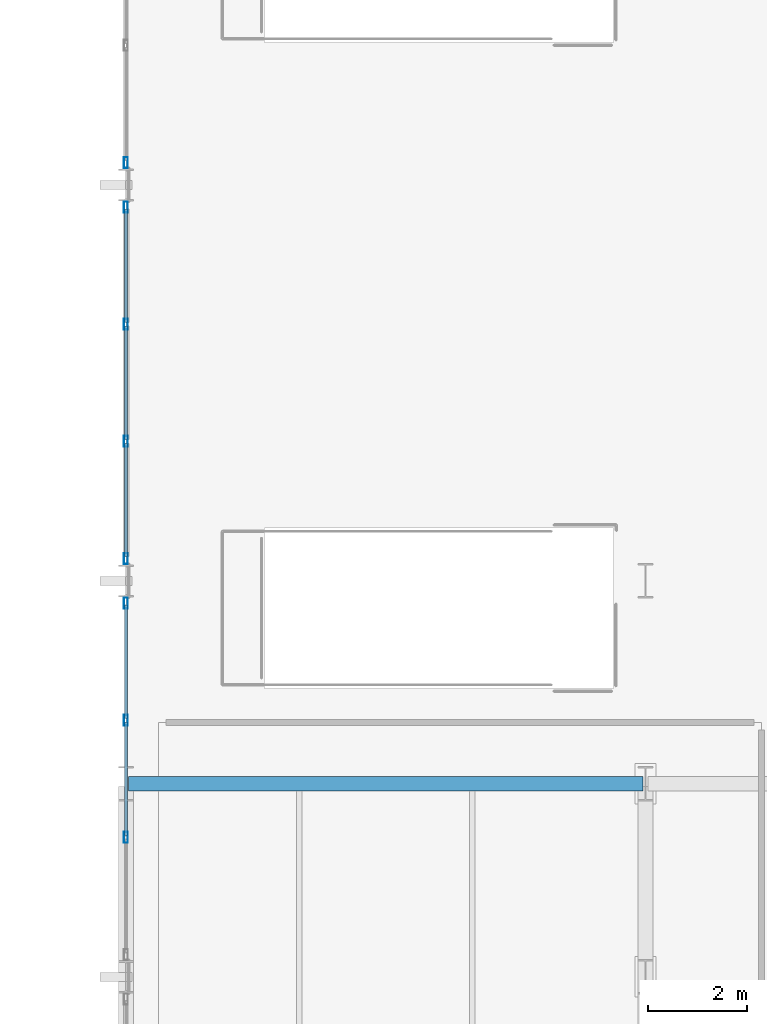
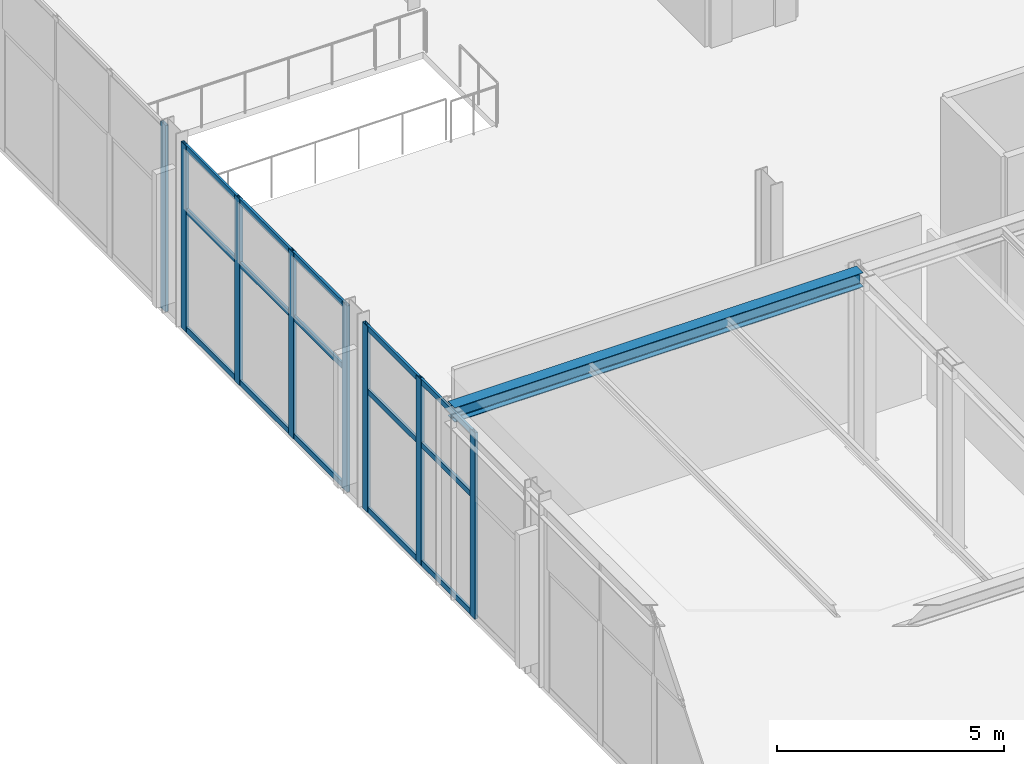
# One storey, part 29 of 195: 23 members, 1 beam, 3 elements without a shape of their own.
"""IFC4 building model written with IfcOpenShell, lengths in metres."""

from ifc_helpers import new_model, si_unit, direction, frame, origin, origin_2d, place, context, subcontext, project, spatial, hollow_rectangle, i_section, extrude, material, layer, layer_set, material_profile, profile_set, type_object, element, aggregate, save


model = new_model("IFC4")

# Units and contexts
model_context = context("Model", 3, precision=1e-05, world=origin(), true_north=direction((0.0, 1.0)))
body_context = subcontext(model_context, "Body", "Model", "MODEL_VIEW")
ifc_project = project(units=[si_unit("LENGTHUNIT", "METRE"), si_unit("AREAUNIT", "SQUARE_METRE"), si_unit("VOLUMEUNIT", "CUBIC_METRE"), si_unit("PLANEANGLEUNIT", "RADIAN"), si_unit("MASSUNIT", "GRAM", prefix="KILO")], contexts=[model_context])

# Site, building, storey
site_placement = place(None, origin())
site = spatial("IfcSite", under=ifc_project, at=site_placement, CompositionType="ELEMENT")
building_placement = place(site_placement, origin())
building = spatial("IfcBuilding", under=site, at=building_placement, Name="Marlcrest Central Station", CompositionType="ELEMENT")
storey_placement = place(building_placement, frame((0.0, 0.0, 9.800048828125)))
storey = spatial("IfcBuildingStorey", under=building, at=storey_placement, Name="L02", CompositionType="ELEMENT", Elevation=9.800048828125)

# Beam
ifc_material_1 = material(Name="Steel S355", Category="steel")
ifc_material_profile_1 = material_profile(ifc_material_1, i_section(OverallWidth=0.300048828125, OverallDepth=0.389892578125, WebThickness=0.010986328125, FlangeThickness=0.01904296875, FilletRadius=0.027099609375, at=origin_2d()), Name="HEA 400")
ifc_profile_set_1 = profile_set([ifc_material_profile_1], Name="Steel S355")
beam_type = type_object("IfcBeamType", Name="BM-08", PredefinedType="BEAM", material=ifc_profile_set_1)
beam_placement = place(storey_placement, frame((87.050048828125, 34.39990234375, 4.800048828125), z_axis=(1.0, 0.0, 0.0), x_axis=(0.0, 1.0, 0.0)))
element("IfcBeam", 1, at=beam_placement, inside=storey, type_object=beam_type, Name="bm-BM-08-L02-01387", PredefinedType="BEAM", context=body_context, shape_type="SweptSolid", body=[
    extrude(i_section(OverallWidth=0.300048828125, OverallDepth=0.389892578125, WebThickness=0.010986328125, FlangeThickness=0.01904296875, FilletRadius=0.027099609375, at=origin_2d()), origin(), (0.0, 0.0, 1.0), 10.39990234375),
])

# Curtain wall, members
ifc_material_2 = material(Name="Anodised aluminium and hurricane laminated glass", Category="aluminium")
ifc_layer = layer(ifc_material_2, 0.219970703125, Name="CW-U1")
ifc_layer_set = layer_set([ifc_layer], Name="Anodised aluminium and hurricane laminated glass")
curtain_wall_type = type_object("IfcCurtainWallType", Name="CW-U1", PredefinedType="USERDEFINED", material=ifc_layer_set)
curtain_wall_1_placement = place(storey_placement, origin())
curtain_wall_1 = element("IfcCurtainWall", 2, at=curtain_wall_1_placement, inside=storey, type_object=curtain_wall_type, Name="cw-L02-0103", ObjectType="UNITISED_CURTAIN_WALL", PredefinedType="USERDEFINED")
ifc_material_3 = material(Name="Anodised aluminium 6063-T6", Category="aluminium")
ifc_material_profile_2 = material_profile(ifc_material_3, hollow_rectangle(XDim=0.080078125, YDim=0.219970703125, WallThickness=0.006103515625, at=origin_2d()), Name="AA-RHS 220x80x6")
ifc_profile_set_2 = profile_set([ifc_material_profile_2], Name="Anodised aluminium 6063-T6")
member_type_1 = type_object("IfcMemberType", Name="ML-01", PredefinedType="MULLION", material=ifc_profile_set_2)
member_1_placement = place(storey_placement, frame((87.0, 33.316650390625, -0.030029296875), z_axis=(0.0, 0.0, 1.0), x_axis=(1.0, 0.0, 0.0)))
member_1 = element("IfcMember", 3, at=member_1_placement, type_object=member_type_1, Name="cw-L02-0103-ml-1", PredefinedType="MULLION", context=body_context, shape_type="SweptSolid", body=[
    extrude(hollow_rectangle(XDim=0.080078125, YDim=0.219970703125, WallThickness=0.006103515625, at=origin_2d()), origin(), (0.0, 0.0, 1.0), 5.010009765625),
])
member_2_placement = place(storey_placement, frame((87.0, 35.683349609375, -0.030029296875), z_axis=(0.0, 0.0, 1.0), x_axis=(1.0, 0.0, 0.0)))
member_2 = element("IfcMember", 4, at=member_2_placement, type_object=member_type_1, Name="cw-L02-0103-ml-2", PredefinedType="MULLION", context=body_context, shape_type="SweptSolid", body=[
    extrude(hollow_rectangle(XDim=0.080078125, YDim=0.219970703125, WallThickness=0.006103515625, at=origin_2d()), origin(), (0.0, 0.0, 1.0), 5.010009765625),
])
member_3_placement = place(storey_placement, frame((87.0, 38.050048828125, -0.030029296875), z_axis=(0.0, 0.0, 1.0), x_axis=(1.0, 0.0, 0.0)))
member_3 = element("IfcMember", 5, at=member_3_placement, type_object=member_type_1, Name="cw-L02-0103-ml-3", PredefinedType="MULLION", context=body_context, shape_type="SweptSolid", body=[
    extrude(hollow_rectangle(XDim=0.080078125, YDim=0.219970703125, WallThickness=0.006103515625, at=origin_2d()), origin(), (0.0, 0.0, 1.0), 5.010009765625),
])

curtain_wall_2_placement = place(storey_placement, origin())
curtain_wall_2 = element("IfcCurtainWall", 6, at=curtain_wall_2_placement, inside=storey, type_object=curtain_wall_type, Name="cw-L02-0107", ObjectType="UNITISED_CURTAIN_WALL", PredefinedType="USERDEFINED")
member_4_placement = place(storey_placement, frame((87.0, 38.949951171875, -0.030029296875), z_axis=(0.0, 0.0, 1.0), x_axis=(1.0, 0.0, 0.0)))
member_4 = element("IfcMember", 7, at=member_4_placement, type_object=member_type_1, Name="cw-L02-0107-ml-0", PredefinedType="MULLION", context=body_context, shape_type="SweptSolid", body=[
    extrude(hollow_rectangle(XDim=0.080078125, YDim=0.219970703125, WallThickness=0.006103515625, at=origin_2d()), origin(), (0.0, 0.0, 1.0), 5.010009765625),
])
member_5_placement = place(storey_placement, frame((87.0, 41.316650390625, -0.030029296875), z_axis=(0.0, 0.0, 1.0), x_axis=(1.0, 0.0, 0.0)))
member_5 = element("IfcMember", 8, at=member_5_placement, type_object=member_type_1, Name="cw-L02-0107-ml-1", PredefinedType="MULLION", context=body_context, shape_type="SweptSolid", body=[
    extrude(hollow_rectangle(XDim=0.080078125, YDim=0.219970703125, WallThickness=0.006103515625, at=origin_2d()), origin(), (0.0, 0.0, 1.0), 5.010009765625),
])
member_6_placement = place(storey_placement, frame((87.0, 43.683349609375, -0.030029296875), z_axis=(0.0, 0.0, 1.0), x_axis=(1.0, 0.0, 0.0)))
member_6 = element("IfcMember", 9, at=member_6_placement, type_object=member_type_1, Name="cw-L02-0107-ml-2", PredefinedType="MULLION", context=body_context, shape_type="SweptSolid", body=[
    extrude(hollow_rectangle(XDim=0.080078125, YDim=0.219970703125, WallThickness=0.006103515625, at=origin_2d()), origin(), (0.0, 0.0, 1.0), 5.010009765625),
])
member_7_placement = place(storey_placement, frame((87.0, 46.050048828125, -0.030029296875), z_axis=(0.0, 0.0, 1.0), x_axis=(1.0, 0.0, 0.0)))
member_7 = element("IfcMember", 10, at=member_7_placement, type_object=member_type_1, Name="cw-L02-0107-ml-3", PredefinedType="MULLION", context=body_context, shape_type="SweptSolid", body=[
    extrude(hollow_rectangle(XDim=0.080078125, YDim=0.219970703125, WallThickness=0.006103515625, at=origin_2d()), origin(), (0.0, 0.0, 1.0), 5.010009765625),
])

# Curtain wall, member
curtain_wall_3_placement = place(storey_placement, origin())
curtain_wall_3 = element("IfcCurtainWall", 11, at=curtain_wall_3_placement, inside=storey, type_object=curtain_wall_type, Name="cw-L02-0111", ObjectType="UNITISED_CURTAIN_WALL", PredefinedType="USERDEFINED")
member_8_placement = place(storey_placement, frame((87.0, 46.949951171875, -0.030029296875), z_axis=(0.0, 0.0, 1.0), x_axis=(1.0, 0.0, 0.0)))
member_8 = element("IfcMember", 12, at=member_8_placement, type_object=member_type_1, Name="cw-L02-0111-ml-0", PredefinedType="MULLION", context=body_context, shape_type="SweptSolid", body=[
    extrude(hollow_rectangle(XDim=0.080078125, YDim=0.219970703125, WallThickness=0.006103515625, at=origin_2d()), origin(), (0.0, 0.0, 1.0), 5.010009765625),
])
aggregate(curtain_wall_3, [member_8])

# Member
ifc_material_profile_3 = material_profile(ifc_material_3, hollow_rectangle(XDim=0.06005859375, YDim=0.14990234375, WallThickness=0.00390625, at=origin_2d()), Name="AA-RHS 150x60x4")
ifc_profile_set_3 = profile_set([ifc_material_profile_3], Name="Anodised aluminium 6063-T6")
member_type_2 = type_object("IfcMemberType", Name="TR-01", PredefinedType="USERDEFINED", material=ifc_profile_set_3)
member_9_placement = place(storey_placement, frame((87.0, 33.354736328125, 0.0400390625), z_axis=(0.0, 1.0, 0.0), x_axis=(-1.0, 0.0, 0.0)))
member_9 = element("IfcMember", 13, at=member_9_placement, type_object=member_type_2, Name="cw-L02-0103-tr-1-sill", ObjectType="TRANSOM", PredefinedType="USERDEFINED", context=body_context, shape_type="SweptSolid", body=[
    extrude(hollow_rectangle(XDim=0.06005859375, YDim=0.14990234375, WallThickness=0.00390625, at=origin_2d()), origin(), (0.0, 0.0, 1.0), 2.29052734375),
])

member_10_placement = place(storey_placement, frame((87.0, 33.354736328125, 3.218017578125), z_axis=(0.0, 1.0, 0.0), x_axis=(-1.0, 0.0, 0.0)))
member_10 = element("IfcMember", 14, at=member_10_placement, type_object=member_type_2, Name="cw-L02-0103-tr-1-mid", ObjectType="TRANSOM", PredefinedType="USERDEFINED", context=body_context, shape_type="SweptSolid", body=[
    extrude(hollow_rectangle(XDim=0.06005859375, YDim=0.14990234375, WallThickness=0.00390625, at=origin_2d()), origin(), (0.0, 0.0, 1.0), 2.29052734375),
])

member_11_placement = place(storey_placement, frame((87.0, 33.354736328125, 4.909912109375), z_axis=(0.0, 1.0, 0.0), x_axis=(-1.0, 0.0, 0.0)))
member_11 = element("IfcMember", 15, at=member_11_placement, type_object=member_type_2, Name="cw-L02-0103-tr-1-head", ObjectType="TRANSOM", PredefinedType="USERDEFINED", context=body_context, shape_type="SweptSolid", body=[
    extrude(hollow_rectangle(XDim=0.06005859375, YDim=0.14990234375, WallThickness=0.00390625, at=origin_2d()), origin(), (0.0, 0.0, 1.0), 2.29052734375),
])

member_12_placement = place(storey_placement, frame((87.0, 35.72119140625, 0.0400390625), z_axis=(0.0, 1.0, 0.0), x_axis=(-1.0, 0.0, 0.0)))
member_12 = element("IfcMember", 16, at=member_12_placement, type_object=member_type_2, Name="cw-L02-0103-tr-2-sill", ObjectType="TRANSOM", PredefinedType="USERDEFINED", context=body_context, shape_type="SweptSolid", body=[
    extrude(hollow_rectangle(XDim=0.06005859375, YDim=0.14990234375, WallThickness=0.00390625, at=origin_2d()), origin(), (0.0, 0.0, 1.0), 2.290771484375),
])

member_13_placement = place(storey_placement, frame((87.0, 35.72119140625, 3.218017578125), z_axis=(0.0, 1.0, 0.0), x_axis=(-1.0, 0.0, 0.0)))
member_13 = element("IfcMember", 17, at=member_13_placement, type_object=member_type_2, Name="cw-L02-0103-tr-2-mid", ObjectType="TRANSOM", PredefinedType="USERDEFINED", context=body_context, shape_type="SweptSolid", body=[
    extrude(hollow_rectangle(XDim=0.06005859375, YDim=0.14990234375, WallThickness=0.00390625, at=origin_2d()), origin(), (0.0, 0.0, 1.0), 2.290771484375),
])

member_14_placement = place(storey_placement, frame((87.0, 35.72119140625, 4.909912109375), z_axis=(0.0, 1.0, 0.0), x_axis=(-1.0, 0.0, 0.0)))
member_14 = element("IfcMember", 18, at=member_14_placement, type_object=member_type_2, Name="cw-L02-0103-tr-2-head", ObjectType="TRANSOM", PredefinedType="USERDEFINED", context=body_context, shape_type="SweptSolid", body=[
    extrude(hollow_rectangle(XDim=0.06005859375, YDim=0.14990234375, WallThickness=0.00390625, at=origin_2d()), origin(), (0.0, 0.0, 1.0), 2.290771484375),
])

aggregate(curtain_wall_1, [member_1, member_2, member_3, member_9, member_10, member_11, member_12, member_13, member_14])

member_15_placement = place(storey_placement, frame((87.0, 38.988037109375, 0.0400390625), z_axis=(0.0, 1.0, 0.0), x_axis=(-1.0, 0.0, 0.0)))
member_15 = element("IfcMember", 19, at=member_15_placement, type_object=member_type_2, Name="cw-L02-0107-tr-0-sill", ObjectType="TRANSOM", PredefinedType="USERDEFINED", context=body_context, shape_type="SweptSolid", body=[
    extrude(hollow_rectangle(XDim=0.06005859375, YDim=0.14990234375, WallThickness=0.00390625, at=origin_2d()), origin(), (0.0, 0.0, 1.0), 2.290771484375),
])

member_16_placement = place(storey_placement, frame((87.0, 38.988037109375, 3.218017578125), z_axis=(0.0, 1.0, 0.0), x_axis=(-1.0, 0.0, 0.0)))
member_16 = element("IfcMember", 20, at=member_16_placement, type_object=member_type_2, Name="cw-L02-0107-tr-0-mid", ObjectType="TRANSOM", PredefinedType="USERDEFINED", context=body_context, shape_type="SweptSolid", body=[
    extrude(hollow_rectangle(XDim=0.06005859375, YDim=0.14990234375, WallThickness=0.00390625, at=origin_2d()), origin(), (0.0, 0.0, 1.0), 2.290771484375),
])

member_17_placement = place(storey_placement, frame((87.0, 38.988037109375, 4.909912109375), z_axis=(0.0, 1.0, 0.0), x_axis=(-1.0, 0.0, 0.0)))
member_17 = element("IfcMember", 21, at=member_17_placement, type_object=member_type_2, Name="cw-L02-0107-tr-0-head", ObjectType="TRANSOM", PredefinedType="USERDEFINED", context=body_context, shape_type="SweptSolid", body=[
    extrude(hollow_rectangle(XDim=0.06005859375, YDim=0.14990234375, WallThickness=0.00390625, at=origin_2d()), origin(), (0.0, 0.0, 1.0), 2.290771484375),
])

member_18_placement = place(storey_placement, frame((87.0, 41.354736328125, 0.0400390625), z_axis=(0.0, 1.0, 0.0), x_axis=(-1.0, 0.0, 0.0)))
member_18 = element("IfcMember", 22, at=member_18_placement, type_object=member_type_2, Name="cw-L02-0107-tr-1-sill", ObjectType="TRANSOM", PredefinedType="USERDEFINED", context=body_context, shape_type="SweptSolid", body=[
    extrude(hollow_rectangle(XDim=0.06005859375, YDim=0.14990234375, WallThickness=0.00390625, at=origin_2d()), origin(), (0.0, 0.0, 1.0), 2.29052734375),
])

member_19_placement = place(storey_placement, frame((87.0, 41.354736328125, 3.218017578125), z_axis=(0.0, 1.0, 0.0), x_axis=(-1.0, 0.0, 0.0)))
member_19 = element("IfcMember", 23, at=member_19_placement, type_object=member_type_2, Name="cw-L02-0107-tr-1-mid", ObjectType="TRANSOM", PredefinedType="USERDEFINED", context=body_context, shape_type="SweptSolid", body=[
    extrude(hollow_rectangle(XDim=0.06005859375, YDim=0.14990234375, WallThickness=0.00390625, at=origin_2d()), origin(), (0.0, 0.0, 1.0), 2.29052734375),
])

member_20_placement = place(storey_placement, frame((87.0, 41.354736328125, 4.909912109375), z_axis=(0.0, 1.0, 0.0), x_axis=(-1.0, 0.0, 0.0)))
member_20 = element("IfcMember", 24, at=member_20_placement, type_object=member_type_2, Name="cw-L02-0107-tr-1-head", ObjectType="TRANSOM", PredefinedType="USERDEFINED", context=body_context, shape_type="SweptSolid", body=[
    extrude(hollow_rectangle(XDim=0.06005859375, YDim=0.14990234375, WallThickness=0.00390625, at=origin_2d()), origin(), (0.0, 0.0, 1.0), 2.29052734375),
])

member_21_placement = place(storey_placement, frame((87.0, 43.72119140625, 0.0400390625), z_axis=(0.0, 1.0, 0.0), x_axis=(-1.0, 0.0, 0.0)))
member_21 = element("IfcMember", 25, at=member_21_placement, type_object=member_type_2, Name="cw-L02-0107-tr-2-sill", ObjectType="TRANSOM", PredefinedType="USERDEFINED", context=body_context, shape_type="SweptSolid", body=[
    extrude(hollow_rectangle(XDim=0.06005859375, YDim=0.14990234375, WallThickness=0.00390625, at=origin_2d()), origin(), (0.0, 0.0, 1.0), 2.290771484375),
])

member_22_placement = place(storey_placement, frame((87.0, 43.72119140625, 3.218017578125), z_axis=(0.0, 1.0, 0.0), x_axis=(-1.0, 0.0, 0.0)))
member_22 = element("IfcMember", 26, at=member_22_placement, type_object=member_type_2, Name="cw-L02-0107-tr-2-mid", ObjectType="TRANSOM", PredefinedType="USERDEFINED", context=body_context, shape_type="SweptSolid", body=[
    extrude(hollow_rectangle(XDim=0.06005859375, YDim=0.14990234375, WallThickness=0.00390625, at=origin_2d()), origin(), (0.0, 0.0, 1.0), 2.290771484375),
])

member_23_placement = place(storey_placement, frame((87.0, 43.72119140625, 4.909912109375), z_axis=(0.0, 1.0, 0.0), x_axis=(-1.0, 0.0, 0.0)))
member_23 = element("IfcMember", 27, at=member_23_placement, type_object=member_type_2, Name="cw-L02-0107-tr-2-head", ObjectType="TRANSOM", PredefinedType="USERDEFINED", context=body_context, shape_type="SweptSolid", body=[
    extrude(hollow_rectangle(XDim=0.06005859375, YDim=0.14990234375, WallThickness=0.00390625, at=origin_2d()), origin(), (0.0, 0.0, 1.0), 2.290771484375),
])

aggregate(curtain_wall_2, [member_4, member_5, member_6, member_7, member_15, member_16, member_17, member_18, member_19, member_20, member_21, member_22, member_23])

save(model, "model.ifc")
